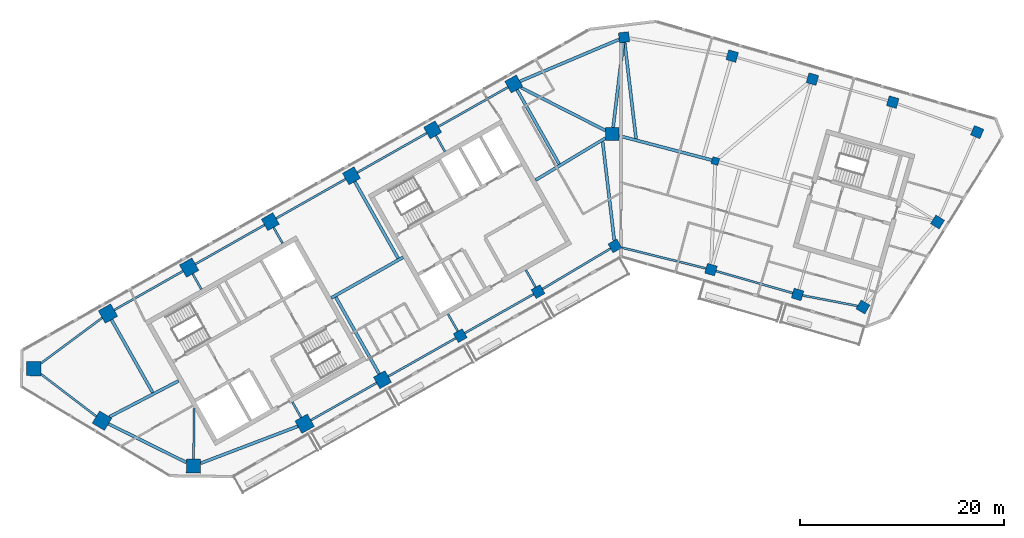
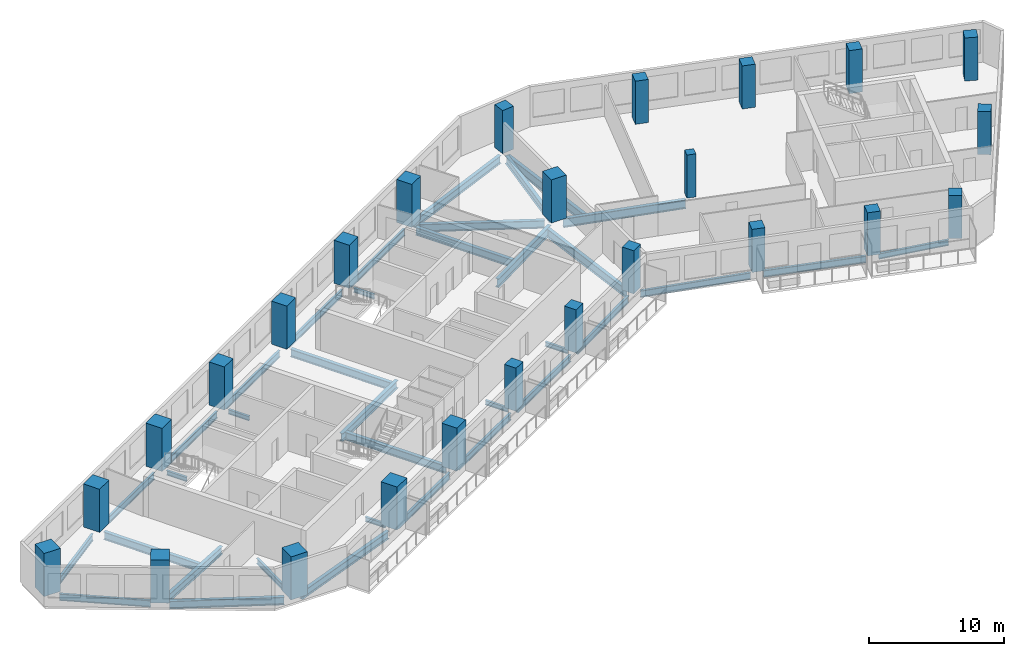
# One storey, part 1 of 12: 36 beams, 25 columns.
"""IFC4 building model written with IfcOpenShell, lengths in metres."""

from ifc_helpers import new_model, si_unit, direction, frame, origin, origin_2d, place, context, subcontext, project, spatial, rectangle, i_section, extrude, material, material_profile, profile_set, type_object, element, save


model = new_model("IFC4")

# Units and contexts
model_context = context("Model", 3, precision=1e-05, world=origin(), true_north=direction((0.0, 1.0)))
body_context = subcontext(model_context, "Body", "Model", "MODEL_VIEW")
ifc_project = project(units=[si_unit("LENGTHUNIT", "METRE"), si_unit("AREAUNIT", "SQUARE_METRE"), si_unit("VOLUMEUNIT", "CUBIC_METRE"), si_unit("PLANEANGLEUNIT", "RADIAN"), si_unit("MASSUNIT", "GRAM", prefix="KILO")], contexts=[model_context])

# Site, building, storey
site_placement = place(None, origin())
site = spatial("IfcSite", under=ifc_project, at=site_placement, CompositionType="ELEMENT")
building_placement = place(site_placement, origin())
building = spatial("IfcBuilding", under=site, at=building_placement, Name="Binnacle Exchange Tower", CompositionType="ELEMENT")
storey_placement = place(building_placement, frame((0.0, 0.0, 250.39990234375)))
storey = spatial("IfcBuildingStorey", under=building, at=storey_placement, Name="L55", CompositionType="ELEMENT", Elevation=250.39990234375)

# Columns
ifc_material_1 = material(Name="Concrete C60/75", Category="concrete")
ifc_material_profile_1 = material_profile(ifc_material_1, rectangle(XDim=0.699951171875, YDim=0.699951171875, at=origin_2d()), Name="Column 700x700 C60/75")
ifc_profile_set_1 = profile_set([ifc_material_profile_1], Name="Concrete C60/75")
column_type_1 = type_object("IfcColumnType", Name="Column 700x700 C60/75", PredefinedType="COLUMN", material=ifc_profile_set_1)
column_placement = place(storey_placement, frame((9.240966796875, 57.35009765625, 0.0), z_axis=(0.0, 0.0, 1.0), x_axis=(0.961261695938, -0.275637355817, 0.0)))
element("IfcColumn", 1, at=column_placement, inside=storey, type_object=column_type_1, Name="S:COL:C19:L55", PredefinedType="COLUMN", context=body_context, shape_type="SweptSolid", body=[
    extrude(rectangle(XDim=0.699951171875, YDim=0.699951171875, at=origin_2d()), origin(), (0.0, 0.0, 1.0), 3.900146484375),
])
ifc_material_profile_2 = material_profile(ifc_material_1, rectangle(XDim=1.0, YDim=1.0, at=origin_2d()), Name="Mega column 1000x1000 C60/75")
ifc_profile_set_2 = profile_set([ifc_material_profile_2], Name="Concrete C60/75")
column_type_2 = type_object("IfcColumnType", Name="Mega column 1000x1000 C60/75", PredefinedType="COLUMN", material=ifc_profile_set_2)
for number, where, z_axis, x_axis, name in (
    (2, (26.602783203125, 63.12353515625, 0.0), (0.0, 0.0, 1.0), (-0.961261695938, 0.275637355817, 0.0), "S:COL:MC52:L55"),
    (3, (18.746337890625, 65.376220703125, 0.0), (0.0, 0.0, 1.0), (-0.961261695938, 0.275637355817, 0.0), "S:COL:MC50:L55"),
    (4, (10.889892578125, 67.62890625, 0.0), (0.0, 0.0, 1.0), (-0.961261695938, 0.275637355817, 0.0), "S:COL:MC48:L55"),
    (5, (0.300048828125, 69.464111328125, 0.0), (0.0, 0.0, 1.0), (-0.993068456955, -0.117537397458, 0.0), "S:COL:MC47:L55"),
    (6, (-15.736328125, 40.257080078125, 0.0), (0.0, 0.0, 1.0), (0.87035569594, 0.492423560103, 0.0), "S:COL:MC24:L55"),
    (7, (-8.116943359375, 44.568115234375, 0.0), (0.0, 0.0, 1.0), (0.87035569594, 0.492423560103, 0.0), "S:COL:MC35:L55"),
    (8, (-0.5908203125, 49.04443359375, 0.0), (0.0, 0.0, 1.0), (0.87035569594, 0.492423560103, 0.0), "S:COL:MC46:L55"),
    (9, (8.8095703125, 46.722412109375, 0.0), (0.0, 0.0, 1.0), (0.961261695938, -0.275637355817, 0.0), "S:COL:MC49:L55"),
    (10, (17.2880859375, 44.291015625, 0.0), (0.0, 0.0, 1.0), (0.961261695938, -0.275637355817, 0.0), "S:COL:MC51:L55"),
    (11, (23.690185546875, 43.062744140625, 0.0), (0.0, 0.0, 1.0), (-0.86532642813, 0.501208711795, 0.0), "S:COL:MC53:L55"),
    (12, (30.989501953125, 51.38623046875, 0.0), (0.0, 0.0, 1.0), (0.529919264233, 0.848048096156, 0.0), "S:COL:MC55:L55"),
    (13, (34.870361328125, 60.18701171875, 0.0), (0.0, 0.0, 1.0), (-0.922814001807, 0.385245789164, 0.0), "S:COL:MC54:L55"),
):
    element("IfcColumn", number, at=place(storey_placement, frame(where, z_axis=z_axis, x_axis=x_axis)), inside=storey, type_object=column_type_2, Name=name, PredefinedType="COLUMN", context=body_context, shape_type="SweptSolid", body=[
        extrude(rectangle(XDim=1.0, YDim=1.0, at=origin_2d()), origin(), (0.0, 0.0, 1.0), 3.900146484375),
    ])
ifc_material_profile_3 = material_profile(ifc_material_1, rectangle(XDim=1.300048828125, YDim=1.300048828125, at=origin_2d()), Name="Mega column 1300x1300 C60/75")
ifc_profile_set_3 = profile_set([ifc_material_profile_3], Name="Concrete C60/75")
column_type_3 = type_object("IfcColumnType", Name="Mega column 1300x1300 C60/75", PredefinedType="COLUMN", material=ifc_profile_set_3)
for number, where, z_axis, x_axis, name in (
    (14, (-10.4951171875, 64.901611328125, 0.0), (0.0, 0.0, 1.0), (-0.87035569594, -0.492423560103, 0.0), "S:COL:MC38:L55"),
    (15, (-18.44140625, 60.406005859375, 0.0), (0.0, 0.0, 1.0), (-0.87035569594, -0.492423560103, 0.0), "S:COL:MC29:L55"),
    (16, (-26.3876953125, 55.91015625, 0.0), (0.0, 0.0, 1.0), (-0.87035569594, -0.492423560103, 0.0), "S:COL:MC21:L55"),
    (17, (-34.333740234375, 51.414306640625, 0.0), (0.0, 0.0, 1.0), (-0.87035569594, -0.492423560103, 0.0), "S:COL:MC13:L55"),
    (18, (-23.35595703125, 35.9462890625, 0.0), (0.0, 0.0, 1.0), (0.87035569594, 0.492423560103, 0.0), "S:COL:MC16:L55"),
    (19, (-0.85009765625, 60.0, 0.0), (0.0, 0.0, 1.0), (0.0, 1.0, 0.0), "S:COL:MC45:L55"),
):
    element("IfcColumn", number, at=place(storey_placement, frame(where, z_axis=z_axis, x_axis=x_axis)), inside=storey, type_object=column_type_3, Name=name, PredefinedType="COLUMN", context=body_context, shape_type="SweptSolid", body=[
        extrude(rectangle(XDim=1.300048828125, YDim=1.300048828125, at=origin_2d()), origin(), (0.0, 0.0, 1.0), 3.900146484375),
    ])
ifc_material_profile_4 = material_profile(ifc_material_1, rectangle(XDim=1.39990234375, YDim=1.39990234375, at=origin_2d()), Name="Mega column 1400x1400 C60/75")
ifc_profile_set_4 = profile_set([ifc_material_profile_4], Name="Concrete C60/75")
column_type_4 = type_object("IfcColumnType", Name="Mega column 1400x1400 C60/75", PredefinedType="COLUMN", material=ifc_profile_set_4)
for number, where, z_axis, x_axis, name in (
    (20, (-42.280029296875, 46.918701171875, 0.0), (0.0, 0.0, 1.0), (-0.87035569594, -0.492423560103, 0.0), "S:COL:MC08:L55"),
    (21, (-50.226318359375, 42.4228515625, 0.0), (0.0, 0.0, 1.0), (-0.87035569594, -0.492423560103, 0.0), "S:COL:MC04:L55"),
    (22, (-57.492919921875, 37.02734375, 0.0), (0.0, 0.0, 1.0), (-0.013089595571, -0.999914327574, 0.0), "S:COL:MC02:L55"),
    (23, (-50.81201171875, 31.930908203125, 0.0), (0.0, 0.0, 1.0), (0.857167300702, -0.51503807491, 0.0), "S:COL:MC01:L55"),
    (24, (-41.857666015625, 27.494873046875, 0.0), (0.0, 0.0, 1.0), (0.999914327574, -0.013089595571, 0.0), "S:COL:MC03:L55"),
    (25, (-30.9755859375, 31.63525390625, 0.0), (0.0, 0.0, 1.0), (0.87035569594, 0.492423560103, 0.0), "S:COL:MC07:L55"),
):
    element("IfcColumn", number, at=place(storey_placement, frame(where, z_axis=z_axis, x_axis=x_axis)), inside=storey, type_object=column_type_4, Name=name, PredefinedType="COLUMN", context=body_context, shape_type="SweptSolid", body=[
        extrude(rectangle(XDim=1.39990234375, YDim=1.39990234375, at=origin_2d()), origin(), (0.0, 0.0, 1.0), 3.900146484375),
    ])

# Beams
ifc_material_2 = material(Name="Steel S355 (SHN355)", Category="steel")
ifc_material_profile_5 = material_profile(ifc_material_2, i_section(OverallWidth=0.199951171875, OverallDepth=0.5, WebThickness=0.010009765625, FlangeThickness=0.01611328125, FilletRadius=0.02001953125, at=origin_2d()), Name="H 500x200x10x16")
ifc_profile_set_5 = profile_set([ifc_material_profile_5], Name="Steel S355 (SHN355)")
beam_type_1 = type_object("IfcBeamType", Name="Edge girder H 500x200x10x16 Steel S355 (SHN355)", PredefinedType="SPANDREL", material=ifc_profile_set_5)
beam_1_placement = place(storey_placement, frame((17.78125, 44.196533203125, -0.52978515625), z_axis=(0.98208728148, -0.188426568073, 0.0), x_axis=(0.188426568073, 0.98208728148, 0.0)))
element("IfcBeam", 26, at=beam_1_placement, inside=storey, type_object=beam_type_1, Name="S:BM:edge:L55:028", PredefinedType="SPANDREL", context=body_context, shape_type="SweptSolid", body=[
    extrude(i_section(OverallWidth=0.199951171875, OverallDepth=0.5, WebThickness=0.010009765625, FlangeThickness=0.01611328125, FilletRadius=0.02001953125, at=origin_2d()), origin(), (0.0, 0.0, 1.0), 5.4873046875),
])
ifc_material_profile_6 = material_profile(ifc_material_2, i_section(OverallWidth=0.199951171875, OverallDepth=0.60009765625, WebThickness=0.010986328125, FlangeThickness=0.01708984375, FilletRadius=0.02197265625, at=origin_2d()), Name="H 600x200x11x17")
ifc_profile_set_6 = profile_set([ifc_material_profile_6], Name="Steel S355 (SHN355)")
beam_type_2 = type_object("IfcBeamType", Name="Edge girder H 600x200x11x17 Steel S355 (SHN355)", PredefinedType="SPANDREL", material=ifc_profile_set_6)
beam_2_placement = place(storey_placement, frame((-56.7998046875, 36.49853515625, -0.579833984375), z_axis=(0.795081038606, -0.606503208606, 0.0), x_axis=(0.606503208606, 0.795081038606, 0.0)))
element("IfcBeam", 27, at=beam_2_placement, inside=storey, type_object=beam_type_2, Name="S:BM:edge:L55:011", PredefinedType="SPANDREL", context=body_context, shape_type="SweptSolid", body=[
    extrude(i_section(OverallWidth=0.199951171875, OverallDepth=0.60009765625, WebThickness=0.010986328125, FlangeThickness=0.01708984375, FilletRadius=0.02197265625, at=origin_2d()), origin(), (0.0, 0.0, 1.0), 6.82666015625),
])
ifc_material_profile_7 = material_profile(ifc_material_2, i_section(OverallWidth=0.200927734375, OverallDepth=0.60595703125, WebThickness=0.011962890625, FlangeThickness=0.02001953125, FilletRadius=0.02197265625, at=origin_2d()), Name="H 606x201x12x20")
ifc_profile_set_7 = profile_set([ifc_material_profile_7], Name="Steel S355 (SHN355)")
beam_type_3 = type_object("IfcBeamType", Name="Edge girder H 606x201x12x20 Steel S355 (SHN355)", PredefinedType="SPANDREL", material=ifc_profile_set_7)
beam_3_placement = place(storey_placement, frame((-50.79248046875, 42.00244140625, -0.5830078125), z_axis=(-0.802886959261, -0.596131303194, 0.0), x_axis=(0.596131303194, -0.802886959261, 0.0)))
element("IfcBeam", 28, at=beam_3_placement, inside=storey, type_object=beam_type_3, Name="S:BM:edge:L55:012", PredefinedType="SPANDREL", context=body_context, shape_type="SweptSolid", body=[
    extrude(i_section(OverallWidth=0.200927734375, OverallDepth=0.60595703125, WebThickness=0.011962890625, FlangeThickness=0.02001953125, FilletRadius=0.02197265625, at=origin_2d()), origin(), (0.0, 0.0, 1.0), 7.465087890625),
])
beam_4_placement = place(storey_placement, frame((-30.3662109375, 31.97998046875, -0.5830078125), z_axis=(0.87035151347, 0.49243095252, 0.0), x_axis=(-0.49243095252, 0.87035151347, 0.0)))
element("IfcBeam", 29, at=beam_4_placement, inside=storey, type_object=beam_type_3, Name="S:BM:edge:L55:017", PredefinedType="SPANDREL", context=body_context, shape_type="SweptSolid", body=[
    extrude(i_section(OverallWidth=0.200927734375, OverallDepth=0.60595703125, WebThickness=0.011962890625, FlangeThickness=0.02001953125, FilletRadius=0.02197265625, at=origin_2d()), origin(), (0.0, 0.0, 1.0), 7.404541015625),
])
beam_5_placement = place(storey_placement, frame((-22.790283203125, 36.266357421875, -0.5830078125), z_axis=(0.870357072119, 0.492421127708, 0.0), x_axis=(-0.492421127708, 0.870357072119, 0.0)))
element("IfcBeam", 30, at=beam_5_placement, inside=storey, type_object=beam_type_3, Name="S:BM:edge:L55:019", PredefinedType="SPANDREL", context=body_context, shape_type="SweptSolid", body=[
    extrude(i_section(OverallWidth=0.200927734375, OverallDepth=0.60595703125, WebThickness=0.011962890625, FlangeThickness=0.02001953125, FilletRadius=0.02197265625, at=origin_2d()), origin(), (0.0, 0.0, 1.0), 7.6044921875),
])
beam_6_placement = place(storey_placement, frame((-15.30126953125, 40.50341796875, -0.5830078125), z_axis=(0.870352841483, 0.492428605304, 0.0), x_axis=(-0.492428605304, 0.870352841483, 0.0)))
element("IfcBeam", 31, at=beam_6_placement, inside=storey, type_object=beam_type_3, Name="S:BM:edge:L55:021", PredefinedType="SPANDREL", context=body_context, shape_type="SweptSolid", body=[
    extrude(i_section(OverallWidth=0.200927734375, OverallDepth=0.60595703125, WebThickness=0.011962890625, FlangeThickness=0.02001953125, FilletRadius=0.02197265625, at=origin_2d()), origin(), (0.0, 0.0, 1.0), 7.754638671875),
])
beam_7_placement = place(storey_placement, frame((-7.68701171875, 44.82373046875, -0.5830078125), z_axis=(0.859458521045, 0.51120548765, 0.0), x_axis=(-0.51120548765, 0.859458521045, 0.0)))
element("IfcBeam", 32, at=beam_7_placement, inside=storey, type_object=beam_type_3, Name="S:BM:edge:L55:023", PredefinedType="SPANDREL", context=body_context, shape_type="SweptSolid", body=[
    extrude(i_section(OverallWidth=0.200927734375, OverallDepth=0.60595703125, WebThickness=0.011962890625, FlangeThickness=0.02001953125, FilletRadius=0.02197265625, at=origin_2d()), origin(), (0.0, 0.0, 1.0), 7.75634765625),
])
beam_8_placement = place(storey_placement, frame((9.2900390625, 46.58447265625, -0.5830078125), z_axis=(0.961265533153, -0.275623973506, 0.0), x_axis=(0.275623973506, 0.961265533153, 0.0)))
element("IfcBeam", 33, at=beam_8_placement, inside=storey, type_object=beam_type_3, Name="S:BM:edge:L55:026", PredefinedType="SPANDREL", context=body_context, shape_type="SweptSolid", body=[
    extrude(i_section(OverallWidth=0.200927734375, OverallDepth=0.60595703125, WebThickness=0.011962890625, FlangeThickness=0.02001953125, FilletRadius=0.02197265625, at=origin_2d()), origin(), (0.0, 0.0, 1.0), 7.820556640625),
])
ifc_material_profile_8 = material_profile(ifc_material_2, i_section(OverallWidth=0.201904296875, OverallDepth=0.612060546875, WebThickness=0.012939453125, FlangeThickness=0.02294921875, FilletRadius=0.02197265625, at=origin_2d()), Name="H 612x202x13x23")
ifc_profile_set_8 = profile_set([ifc_material_profile_8], Name="Steel S355 (SHN355)")
beam_type_4 = type_object("IfcBeamType", Name="Edge girder H 612x202x13x23 Steel S355 (SHN355)", PredefinedType="SPANDREL", material=ifc_profile_set_8)
beam_9_placement = place(storey_placement, frame((-42.88916015625, 46.573974609375, -0.5859375), z_axis=(-0.870355702011, -0.492423549372, 0.0), x_axis=(0.492423549372, -0.870355702011, 0.0)))
element("IfcBeam", 34, at=beam_9_placement, inside=storey, type_object=beam_type_4, Name="S:BM:edge:L55:014", PredefinedType="SPANDREL", context=body_context, shape_type="SweptSolid", body=[
    extrude(i_section(OverallWidth=0.201904296875, OverallDepth=0.612060546875, WebThickness=0.012939453125, FlangeThickness=0.02294921875, FilletRadius=0.02197265625, at=origin_2d()), origin(), (0.0, 0.0, 1.0), 7.72998046875),
])
beam_10_placement = place(storey_placement, frame((-34.8994140625, 51.09423828125, -0.5859375), z_axis=(-0.870365218126, -0.492406729317, 0.0), x_axis=(0.492406729317, -0.870365218126, 0.0)))
element("IfcBeam", 35, at=beam_10_placement, inside=storey, type_object=beam_type_4, Name="S:BM:edge:L55:016", PredefinedType="SPANDREL", context=body_context, shape_type="SweptSolid", body=[
    extrude(i_section(OverallWidth=0.201904296875, OverallDepth=0.612060546875, WebThickness=0.012939453125, FlangeThickness=0.02294921875, FilletRadius=0.02197265625, at=origin_2d()), origin(), (0.0, 0.0, 1.0), 7.77978515625),
])
beam_11_placement = place(storey_placement, frame((-26.953369140625, 55.590087890625, -0.5859375), z_axis=(-0.870361249296, -0.492413744452, 0.0), x_axis=(0.492413744452, -0.870361249296, 0.0)))
element("IfcBeam", 36, at=beam_11_placement, inside=storey, type_object=beam_type_4, Name="S:BM:edge:L55:018", PredefinedType="SPANDREL", context=body_context, shape_type="SweptSolid", body=[
    extrude(i_section(OverallWidth=0.201904296875, OverallDepth=0.612060546875, WebThickness=0.012939453125, FlangeThickness=0.02294921875, FilletRadius=0.02197265625, at=origin_2d()), origin(), (0.0, 0.0, 1.0), 7.829833984375),
])
beam_12_placement = place(storey_placement, frame((-19.007080078125, 60.0859375, -0.5859375), z_axis=(-0.870355446453, -0.492424001069, 0.0), x_axis=(0.492424001069, -0.870355446453, 0.0)))
element("IfcBeam", 37, at=beam_12_placement, inside=storey, type_object=beam_type_4, Name="S:BM:edge:L55:020", PredefinedType="SPANDREL", context=body_context, shape_type="SweptSolid", body=[
    extrude(i_section(OverallWidth=0.201904296875, OverallDepth=0.612060546875, WebThickness=0.012939453125, FlangeThickness=0.02294921875, FilletRadius=0.02197265625, at=origin_2d()), origin(), (0.0, 0.0, 1.0), 7.830078125),
])
beam_13_placement = place(storey_placement, frame((-11.060791015625, 64.58154296875, -0.5859375), z_axis=(-0.870361249296, -0.492413744452, 0.0), x_axis=(0.492413744452, -0.870361249296, 0.0)))
element("IfcBeam", 38, at=beam_13_placement, inside=storey, type_object=beam_type_4, Name="S:BM:edge:L55:022", PredefinedType="SPANDREL", context=body_context, shape_type="SweptSolid", body=[
    extrude(i_section(OverallWidth=0.201904296875, OverallDepth=0.612060546875, WebThickness=0.012939453125, FlangeThickness=0.02294921875, FilletRadius=0.02197265625, at=origin_2d()), origin(), (0.0, 0.0, 1.0), 7.829833984375),
])
beam_14_placement = place(storey_placement, frame((0.076904296875, 48.87939453125, -0.5859375), z_axis=(0.970819987475, -0.239809407487, 0.0), x_axis=(0.239809407487, 0.970819987475, 0.0)))
element("IfcBeam", 39, at=beam_14_placement, inside=storey, type_object=beam_type_4, Name="S:BM:edge:L55:025", PredefinedType="SPANDREL", context=body_context, shape_type="SweptSolid", body=[
    extrude(i_section(OverallWidth=0.201904296875, OverallDepth=0.612060546875, WebThickness=0.012939453125, FlangeThickness=0.02294921875, FilletRadius=0.02197265625, at=origin_2d()), origin(), (0.0, 0.0, 1.0), 8.49462890625),
])
ifc_material_profile_9 = material_profile(ifc_material_2, i_section(OverallWidth=0.300048828125, OverallDepth=0.699951171875, WebThickness=0.012939453125, FlangeThickness=0.02392578125, FilletRadius=0.028076171875, at=origin_2d()), Name="H 700x300x13x24")
ifc_profile_set_9 = profile_set([ifc_material_profile_9], Name="Steel S355 (SHN355)")
beam_type_5 = type_object("IfcBeamType", Name="Edge girder H 700x300x13x24 Steel S355 (SHN355)", PredefinedType="SPANDREL", material=ifc_profile_set_9)
beam_15_placement = place(storey_placement, frame((-50.1826171875, 31.619140625, -0.6298828125), z_axis=(0.896061326398, -0.443930286569, 0.0), x_axis=(0.443930286569, 0.896061326398, 0.0)))
element("IfcBeam", 40, at=beam_15_placement, inside=storey, type_object=beam_type_5, Name="S:BM:edge:L55:013", PredefinedType="SPANDREL", context=body_context, shape_type="SweptSolid", body=[
    extrude(i_section(OverallWidth=0.300048828125, OverallDepth=0.699951171875, WebThickness=0.012939453125, FlangeThickness=0.02392578125, FilletRadius=0.028076171875, at=origin_2d()), origin(), (0.0, 0.0, 1.0), 8.514404296875),
])
beam_16_placement = place(storey_placement, frame((-41.154052734375, 27.762451171875, -0.6298828125), z_axis=(0.934627442278, 0.355628379268, 0.0), x_axis=(-0.355628379268, 0.934627442278, 0.0)))
element("IfcBeam", 41, at=beam_16_placement, inside=storey, type_object=beam_type_5, Name="S:BM:edge:L55:015", PredefinedType="SPANDREL", context=body_context, shape_type="SweptSolid", body=[
    extrude(i_section(OverallWidth=0.300048828125, OverallDepth=0.699951171875, WebThickness=0.012939453125, FlangeThickness=0.02392578125, FilletRadius=0.028076171875, at=origin_2d()), origin(), (0.0, 0.0, 1.0), 10.18212890625),
])
beam_17_placement = place(storey_placement, frame((-0.179443359375, 69.261474609375, -0.6298828125), z_axis=(-0.921114178723, -0.389292524659, 0.0), x_axis=(0.389292524659, -0.921114178723, 0.0)))
element("IfcBeam", 42, at=beam_17_placement, inside=storey, type_object=beam_type_5, Name="S:BM:edge:L55:024", PredefinedType="SPANDREL", context=body_context, shape_type="SweptSolid", body=[
    extrude(i_section(OverallWidth=0.300048828125, OverallDepth=0.699951171875, WebThickness=0.012939453125, FlangeThickness=0.02392578125, FilletRadius=0.028076171875, at=origin_2d()), origin(), (0.0, 0.0, 1.0), 10.544677734375),
])
ifc_material_profile_10 = material_profile(ifc_material_2, i_section(OverallWidth=0.199951171875, OverallDepth=0.39990234375, WebThickness=0.008056640625, FlangeThickness=0.012939453125, FilletRadius=0.01611328125, at=origin_2d()), Name="H 400x200x8x13")
ifc_profile_set_10 = profile_set([ifc_material_profile_10], Name="Steel S355 (SHN355)")
beam_type_6 = type_object("IfcBeamType", Name="Floor beam H 400x200x8x13 Steel S355 (SHN355)", PredefinedType="BEAM", material=ifc_profile_set_10)
beam_18_placement = place(storey_placement, frame((-41.935302734375, 46.3095703125, -0.47998046875), z_axis=(0.492405102951, -0.870366138236, 0.0), x_axis=(0.870366138236, 0.492405102951, 0.0)))
element("IfcBeam", 43, at=beam_18_placement, inside=storey, type_object=beam_type_6, Name="S:BM:cross:L55:035", PredefinedType="BEAM", context=body_context, shape_type="SweptSolid", body=[
    extrude(i_section(OverallWidth=0.199951171875, OverallDepth=0.39990234375, WebThickness=0.008056640625, FlangeThickness=0.012939453125, FilletRadius=0.01611328125, at=origin_2d()), origin(), (0.0, 0.0, 1.0), 1.734375),
])
beam_19_placement = place(storey_placement, frame((-34.013671875, 50.8486328125, -0.47998046875), z_axis=(0.492435931281, -0.870348696548, 0.0), x_axis=(0.870348696548, 0.492435931281, 0.0)))
element("IfcBeam", 44, at=beam_19_placement, inside=storey, type_object=beam_type_6, Name="S:BM:cross:L55:037", PredefinedType="BEAM", context=body_context, shape_type="SweptSolid", body=[
    extrude(i_section(OverallWidth=0.199951171875, OverallDepth=0.39990234375, WebThickness=0.008056640625, FlangeThickness=0.012939453125, FilletRadius=0.01611328125, at=origin_2d()), origin(), (0.0, 0.0, 1.0), 1.784423828125),
])
beam_20_placement = place(storey_placement, frame((-31.3203125, 32.244384765625, -0.47998046875), z_axis=(-0.492405102951, 0.870366138236, 0.0), x_axis=(-0.870366138236, -0.492405102951, 0.0)))
element("IfcBeam", 45, at=beam_20_placement, inside=storey, type_object=beam_type_6, Name="S:BM:cross:L55:038", PredefinedType="BEAM", context=body_context, shape_type="SweptSolid", body=[
    extrude(i_section(OverallWidth=0.199951171875, OverallDepth=0.39990234375, WebThickness=0.008056640625, FlangeThickness=0.012939453125, FilletRadius=0.01611328125, at=origin_2d()), origin(), (0.0, 0.0, 1.0), 1.734375),
])
beam_21_placement = place(storey_placement, frame((-18.12109375, 59.84033203125, -0.47998046875), z_axis=(0.49233227435, -0.870407336615, 0.0), x_axis=(0.870407336615, 0.49233227435, 0.0)))
element("IfcBeam", 46, at=beam_21_placement, inside=storey, type_object=beam_type_6, Name="S:BM:cross:L55:041", PredefinedType="BEAM", context=body_context, shape_type="SweptSolid", body=[
    extrude(i_section(OverallWidth=0.199951171875, OverallDepth=0.39990234375, WebThickness=0.008056640625, FlangeThickness=0.012939453125, FilletRadius=0.01611328125, at=origin_2d()), origin(), (0.0, 0.0, 1.0), 1.7841796875),
])
for number, where, z_axis, x_axis, name in (
    (47, (-15.982666015625, 40.6923828125, -0.47998046875), (-0.492369148916, 0.870386478063, 0.0), (-0.870386478063, -0.492369148916, 0.0), "S:BM:cross:L55:042"),
    (48, (-8.363037109375, 45.00341796875, -0.47998046875), (-0.492518856771, 0.870301772792, 0.0), (-0.870301772792, -0.492518856771, 0.0), "S:BM:cross:L55:044"),
):
    element("IfcBeam", number, at=place(storey_placement, frame(where, z_axis=z_axis, x_axis=x_axis)), inside=storey, type_object=beam_type_6, Name=name, PredefinedType="BEAM", context=body_context, shape_type="SweptSolid", body=[
        extrude(i_section(OverallWidth=0.199951171875, OverallDepth=0.39990234375, WebThickness=0.008056640625, FlangeThickness=0.012939453125, FilletRadius=0.01611328125, at=origin_2d()), origin(), (0.0, 0.0, 1.0), 1.934326171875),
    ])
ifc_material_profile_11 = material_profile(ifc_material_2, i_section(OverallWidth=0.200927734375, OverallDepth=0.506103515625, WebThickness=0.010986328125, FlangeThickness=0.01904296875, FilletRadius=0.02001953125, at=origin_2d()), Name="H 506x201x11x19")
ifc_profile_set_11 = profile_set([ifc_material_profile_11], Name="Steel S355 (SHN355)")
beam_type_7 = type_object("IfcBeamType", Name="Floor beam H 506x201x11x19 Steel S355 (SHN355)", PredefinedType="BEAM", material=ifc_profile_set_11)
beam_22_placement = place(storey_placement, frame((-41.848388671875, 28.194580078125, -0.532958984375), z_axis=(0.013067878487, 0.99991461163, 0.0), x_axis=(-0.99991461163, 0.013067878487, 0.0)))
element("IfcBeam", 49, at=beam_22_placement, inside=storey, type_object=beam_type_7, Name="S:BM:cross:L55:036", PredefinedType="BEAM", context=body_context, shape_type="SweptSolid", body=[
    extrude(i_section(OverallWidth=0.200927734375, OverallDepth=0.506103515625, WebThickness=0.010986328125, FlangeThickness=0.01904296875, FilletRadius=0.02001953125, at=origin_2d()), origin(), (0.0, 0.0, 1.0), 4.950927734375),
])
ifc_material_profile_12 = material_profile(ifc_material_2, i_section(OverallWidth=0.300048828125, OverallDepth=0.699951171875, WebThickness=0.012939453125, FlangeThickness=0.02392578125, FilletRadius=0.028076171875, at=origin_2d()), Name="H 700x300x13x24")
ifc_profile_set_12 = profile_set([ifc_material_profile_12], Name="Steel S355 (SHN355)")
beam_type_8 = type_object("IfcBeamType", Name="Floor beam H 700x300x13x24 Steel S355 (SHN355)", PredefinedType="BEAM", material=ifc_profile_set_12)
beam_23_placement = place(storey_placement, frame((-49.881591796875, 41.813720703125, -0.6298828125), z_axis=(0.492430408551, -0.870351821239, 0.0), x_axis=(0.870351821239, 0.492430408551, 0.0)))
element("IfcBeam", 50, at=beam_23_placement, inside=storey, type_object=beam_type_8, Name="S:BM:cross:L55:034", PredefinedType="BEAM", context=body_context, shape_type="SweptSolid", body=[
    extrude(i_section(OverallWidth=0.300048828125, OverallDepth=0.699951171875, WebThickness=0.012939453125, FlangeThickness=0.02392578125, FilletRadius=0.028076171875, at=origin_2d()), origin(), (0.0, 0.0, 1.0), 8.19140625),
])
beam_24_placement = place(storey_placement, frame((-10.175048828125, 64.3359375, -0.6298828125), z_axis=(0.492424391334, -0.870355225652, 0.0), x_axis=(0.870355225652, 0.492424391334, 0.0)))
element("IfcBeam", 51, at=beam_24_placement, inside=storey, type_object=beam_type_8, Name="S:BM:cross:L55:043", PredefinedType="BEAM", context=body_context, shape_type="SweptSolid", body=[
    extrude(i_section(OverallWidth=0.300048828125, OverallDepth=0.699951171875, WebThickness=0.012939453125, FlangeThickness=0.02392578125, FilletRadius=0.028076171875, at=origin_2d()), origin(), (0.0, 0.0, 1.0), 8.369384765625),
])
ifc_material_profile_13 = material_profile(ifc_material_2, i_section(OverallWidth=0.302001953125, OverallDepth=0.7080078125, WebThickness=0.014892578125, FlangeThickness=0.028076171875, FilletRadius=0.028076171875, at=origin_2d()), Name="H 708x302x15x28")
ifc_profile_set_13 = profile_set([ifc_material_profile_13], Name="Steel S355 (SHN355)")
beam_type_9 = type_object("IfcBeamType", Name="Floor beam H 708x302x15x28 Steel S355 (SHN355)", PredefinedType="BEAM", material=ifc_profile_set_13)
beam_25_placement = place(storey_placement, frame((-26.0673828125, 55.344482421875, -0.6337890625), z_axis=(0.492401028839, -0.870368443131, 0.0), x_axis=(0.870368443131, 0.492401028839, 0.0)))
element("IfcBeam", 52, at=beam_25_placement, inside=storey, type_object=beam_type_9, Name="S:BM:cross:L55:039", PredefinedType="BEAM", context=body_context, shape_type="SweptSolid", body=[
    extrude(i_section(OverallWidth=0.302001953125, OverallDepth=0.7080078125, WebThickness=0.014892578125, FlangeThickness=0.028076171875, FilletRadius=0.028076171875, at=origin_2d()), origin(), (0.0, 0.0, 1.0), 8.634033203125),
])
beam_26_placement = place(storey_placement, frame((-23.676025390625, 36.511962890625, -0.6337890625), z_axis=(-0.492422448747, 0.870356324714, 0.0), x_axis=(-0.870356324714, -0.492422448747, 0.0)))
element("IfcBeam", 53, at=beam_26_placement, inside=storey, type_object=beam_type_9, Name="S:BM:cross:L55:040", PredefinedType="BEAM", context=body_context, shape_type="SweptSolid", body=[
    extrude(i_section(OverallWidth=0.302001953125, OverallDepth=0.7080078125, WebThickness=0.014892578125, FlangeThickness=0.028076171875, FilletRadius=0.028076171875, at=origin_2d()), origin(), (0.0, 0.0, 1.0), 8.63427734375),
])
ifc_material_profile_14 = material_profile(ifc_material_2, i_section(OverallWidth=0.300048828125, OverallDepth=0.800048828125, WebThickness=0.013916015625, FlangeThickness=0.02587890625, FilletRadius=0.028076171875, at=origin_2d()), Name="H 800x300x14x26")
ifc_profile_set_14 = profile_set([ifc_material_profile_14], Name="Steel S355 (SHN355)")
beam_type_10 = type_object("IfcBeamType", Name="Floor beam H 800x300x14x26 Steel S355 (SHN355)", PredefinedType="BEAM", material=ifc_profile_set_14)
beam_27_placement = place(storey_placement, frame((-0.654541015625, 49.5830078125, -0.679931640625), z_axis=(-0.117538284625, 0.993068351951, 0.0), x_axis=(-0.993068351951, -0.117538284625, 0.0)))
element("IfcBeam", 54, at=beam_27_placement, inside=storey, type_object=beam_type_10, Name="S:BM:cross:L55:045", PredefinedType="BEAM", context=body_context, shape_type="SweptSolid", body=[
    extrude(i_section(OverallWidth=0.300048828125, OverallDepth=0.800048828125, WebThickness=0.013916015625, FlangeThickness=0.02587890625, FilletRadius=0.028076171875, at=origin_2d()), origin(), (0.0, 0.0, 1.0), 9.754150390625),
])
beam_28_placement = place(storey_placement, frame((0.35888671875, 68.9677734375, -0.679931640625), z_axis=(0.117547988923, -0.993067203315, 0.0), x_axis=(0.993067203315, 0.117547988923, 0.0)))
element("IfcBeam", 55, at=beam_28_placement, inside=storey, type_object=beam_type_10, Name="S:BM:cross:L55:046", PredefinedType="BEAM", context=body_context, shape_type="SweptSolid", body=[
    extrude(i_section(OverallWidth=0.300048828125, OverallDepth=0.800048828125, WebThickness=0.013916015625, FlangeThickness=0.02587890625, FilletRadius=0.028076171875, at=origin_2d()), origin(), (0.0, 0.0, 1.0), 9.5),
])
ifc_material_profile_15 = material_profile(ifc_material_2, i_section(OverallWidth=0.300048828125, OverallDepth=0.699951171875, WebThickness=0.012939453125, FlangeThickness=0.02392578125, FilletRadius=0.028076171875, at=origin_2d()), Name="H 700x300x13x24")
ifc_profile_set_15 = profile_set([ifc_material_profile_15], Name="Steel S355 (SHN355)")
beam_type_11 = type_object("IfcBeamType", Name="Spine girder H 700x300x13x24 Steel S355 (SHN355)", PredefinedType="BEAM", material=ifc_profile_set_15)
beam_29_placement = place(storey_placement, frame((-50.083740234375, 32.31005859375, -0.6298828125), z_axis=(0.886975994229, 0.46181553207, 0.0), x_axis=(-0.46181553207, 0.886975994229, 0.0)))
element("IfcBeam", 56, at=beam_29_placement, inside=storey, type_object=beam_type_11, Name="S:BM:spine:L55:001", PredefinedType="BEAM", context=body_context, shape_type="SweptSolid", body=[
    extrude(i_section(OverallWidth=0.300048828125, OverallDepth=0.699951171875, WebThickness=0.012939453125, FlangeThickness=0.02392578125, FilletRadius=0.028076171875, at=origin_2d()), origin(), (0.0, 0.0, 1.0), 7.6396484375),
])
beam_30_placement = place(storey_placement, frame((-1.5, 60.330322265625, -0.6298828125), z_axis=(-0.891481538846, 0.453057022786, 0.0), x_axis=(-0.453057022786, -0.891481538846, 0.0)))
element("IfcBeam", 57, at=beam_30_placement, inside=storey, type_object=beam_type_11, Name="S:BM:spine:L55:004", PredefinedType="BEAM", context=body_context, shape_type="SweptSolid", body=[
    extrude(i_section(OverallWidth=0.300048828125, OverallDepth=0.699951171875, WebThickness=0.012939453125, FlangeThickness=0.02392578125, FilletRadius=0.028076171875, at=origin_2d()), origin(), (0.0, 0.0, 1.0), 9.31005859375),
])
beam_31_placement = place(storey_placement, frame((-0.77099609375, 60.64990234375, -0.6298828125), z_axis=(0.120632086068, 0.992697285083, 0.0), x_axis=(-0.992697285083, 0.120632086068, 0.0)))
element("IfcBeam", 58, at=beam_31_placement, inside=storey, type_object=beam_type_11, Name="S:BM:spine:L55:005", PredefinedType="BEAM", context=body_context, shape_type="SweptSolid", body=[
    extrude(i_section(OverallWidth=0.300048828125, OverallDepth=0.699951171875, WebThickness=0.012939453125, FlangeThickness=0.02392578125, FilletRadius=0.028076171875, at=origin_2d()), origin(), (0.0, 0.0, 1.0), 8.364501953125),
])
ifc_material_profile_16 = material_profile(ifc_material_2, i_section(OverallWidth=0.302001953125, OverallDepth=0.7080078125, WebThickness=0.014892578125, FlangeThickness=0.028076171875, FilletRadius=0.028076171875, at=origin_2d()), Name="H 708x302x15x28")
ifc_profile_set_16 = profile_set([ifc_material_profile_16], Name="Steel S355 (SHN355)")
beam_type_12 = type_object("IfcBeamType", Name="Spine girder H 708x302x15x28 Steel S355 (SHN355)", PredefinedType="BEAM", material=ifc_profile_set_16)
beam_32_placement = place(storey_placement, frame((-28.365478515625, 43.951416015625, -0.6337890625), z_axis=(0.870350319004, 0.492433063684, 0.0), x_axis=(-0.492433063684, 0.870350319004, 0.0)))
element("IfcBeam", 59, at=beam_32_placement, inside=storey, type_object=beam_type_12, Name="S:BM:spine:L55:002", PredefinedType="BEAM", context=body_context, shape_type="SweptSolid", body=[
    extrude(i_section(OverallWidth=0.302001953125, OverallDepth=0.7080078125, WebThickness=0.014892578125, FlangeThickness=0.028076171875, FilletRadius=0.028076171875, at=origin_2d()), origin(), (0.0, 0.0, 1.0), 8.0908203125),
])
ifc_material_profile_17 = material_profile(ifc_material_2, i_section(OverallWidth=0.300048828125, OverallDepth=0.800048828125, WebThickness=0.013916015625, FlangeThickness=0.02587890625, FilletRadius=0.028076171875, at=origin_2d()), Name="H 800x300x14x26")
ifc_profile_set_17 = profile_set([ifc_material_profile_17], Name="Steel S355 (SHN355)")
beam_type_13 = type_object("IfcBeamType", Name="Spine girder H 800x300x14x26 Steel S355 (SHN355)", PredefinedType="BEAM", material=ifc_profile_set_17)
beam_33_placement = place(storey_placement, frame((-8.36328125, 55.489990234375, -0.679931640625), z_axis=(0.857387955422, 0.514670665472, 0.0), x_axis=(-0.514670665472, 0.857387955422, 0.0)))
element("IfcBeam", 60, at=beam_33_placement, inside=storey, type_object=beam_type_13, Name="S:BM:spine:L55:003", PredefinedType="BEAM", context=body_context, shape_type="SweptSolid", body=[
    extrude(i_section(OverallWidth=0.300048828125, OverallDepth=0.800048828125, WebThickness=0.013916015625, FlangeThickness=0.02587890625, FilletRadius=0.028076171875, at=origin_2d()), origin(), (0.0, 0.0, 1.0), 8.0048828125),
])
beam_34_placement = place(storey_placement, frame((-0.199951171875, 59.829345703125, -0.679931640625), z_axis=(0.967210495765, -0.253976095098, 0.0), x_axis=(0.253976095098, 0.967210495765, 0.0)))
element("IfcBeam", 61, at=beam_34_placement, inside=storey, type_object=beam_type_13, Name="S:BM:spine:L55:006", PredefinedType="BEAM", context=body_context, shape_type="SweptSolid", body=[
    extrude(i_section(OverallWidth=0.300048828125, OverallDepth=0.800048828125, WebThickness=0.013916015625, FlangeThickness=0.02587890625, FilletRadius=0.028076171875, at=origin_2d()), origin(), (0.0, 0.0, 1.0), 9.410888671875),
])

save(model, "model.ifc")
